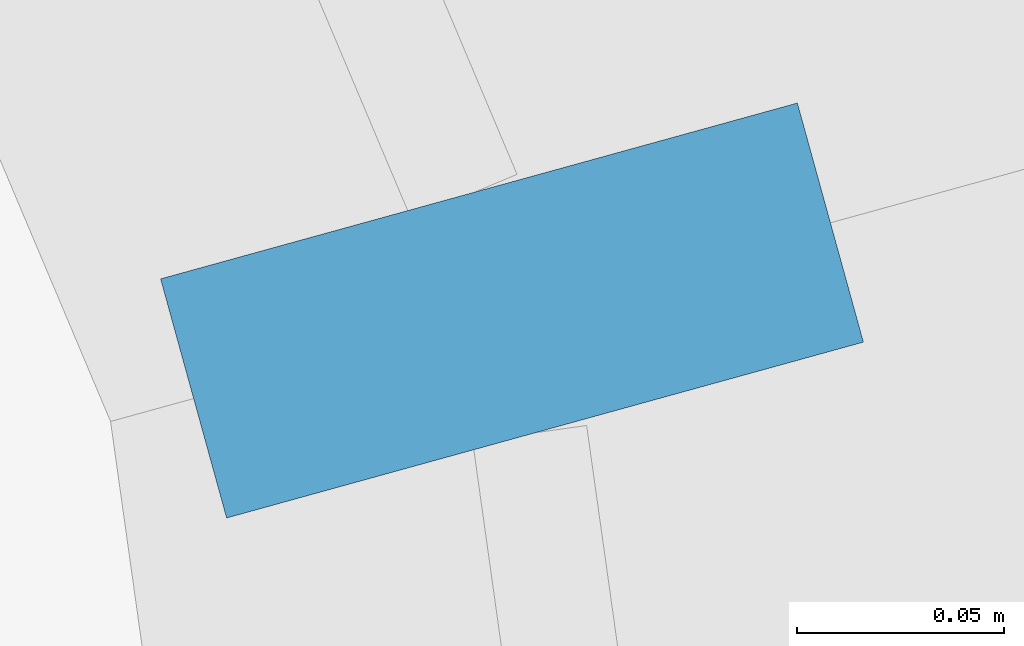
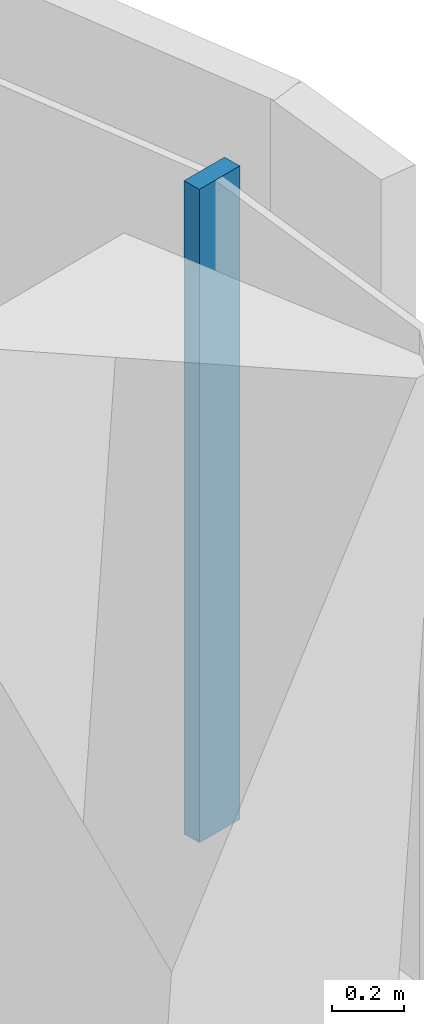
# One storey, part 10 of 35: 1 member, 1 element without a shape of its own.
"""IFC4 building model written with IfcOpenShell, lengths in metres."""

from ifc_helpers import new_model, si_unit, direction, frame, origin, origin_2d, place, context, subcontext, project, spatial, rectangle, extrude, material, layer, layer_set, material_profile, profile_set, type_object, element, aggregate, save


model = new_model("IFC4")

# Units and contexts
model_context = context("Model", 3, precision=1e-05, world=origin(), true_north=direction((0.0, 1.0)))
body_context = subcontext(model_context, "Body", "Model", "MODEL_VIEW")
ifc_project = project(units=[si_unit("LENGTHUNIT", "METRE"), si_unit("AREAUNIT", "SQUARE_METRE"), si_unit("VOLUMEUNIT", "CUBIC_METRE"), si_unit("PLANEANGLEUNIT", "RADIAN"), si_unit("MASSUNIT", "GRAM", prefix="KILO")], contexts=[model_context])

# Site, building, storey
site_placement = place(None, origin())
site = spatial("IfcSite", under=ifc_project, at=site_placement, CompositionType="ELEMENT")
building_placement = place(site_placement, origin())
building = spatial("IfcBuilding", under=site, at=building_placement, Name="Tamarind Cross Interchange Tower", CompositionType="ELEMENT")
storey_placement = place(building_placement, frame((0.0, 0.0, 117.25)))
storey = spatial("IfcBuildingStorey", under=building, at=storey_placement, Name="L28", CompositionType="ELEMENT", Elevation=117.25)

# Curtain wall, member
ifc_material = material(Name="Aluminium 6063-T6", Category="aluminium")
ifc_layer = layer(ifc_material, 0.159912109375)
ifc_layer_set = layer_set([ifc_layer], Name="Aluminium 6063-T6")
curtain_wall_type = type_object("IfcCurtainWallType", Name="Office curtain wall, 9.0 m bays", PredefinedType="NOTDEFINED", material=ifc_layer_set)
curtain_wall_placement = place(storey_placement, origin())
curtain_wall = element("IfcCurtainWall", 1, at=curtain_wall_placement, inside=storey, type_object=curtain_wall_type, Name="CWS-L28-05", PredefinedType="NOTDEFINED")
ifc_material_profile = material_profile(ifc_material, rectangle(XDim=0.06005859375, YDim=0.159912109375, at=origin_2d()), Name="Mullion CW1")
ifc_profile_set = profile_set([ifc_material_profile], Name="Aluminium 6063-T6")
member_type = type_object("IfcMemberType", Name="Mullion CW1", PredefinedType="MULLION", material=ifc_profile_set)
member_placement = place(storey_placement, frame((16.111328125, -42.56884765625, 1.39990234375), z_axis=(0.0, 0.0, 1.0), x_axis=(-0.266179307155, 0.963923532466, 0.0)))
member = element("IfcMember", 2, at=member_placement, type_object=member_type, Name="CWM-L28-05-00", PredefinedType="MULLION", context=body_context, shape_type="SweptSolid", body=[
    extrude(rectangle(XDim=0.06005859375, YDim=0.159912109375, at=origin_2d()), origin(), (0.0, 0.0, 1.0), 2.210205078125),
])
aggregate(curtain_wall, [member])

save(model, "model.ifc")
